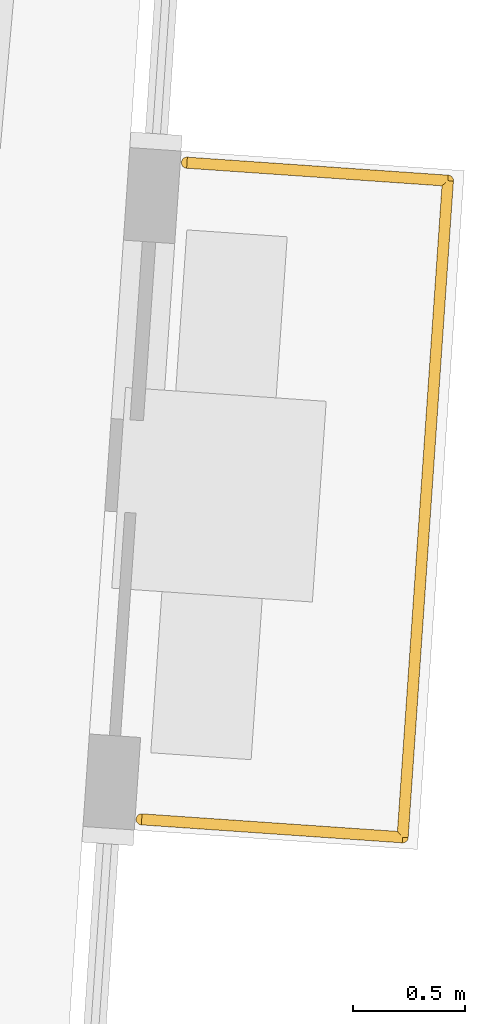
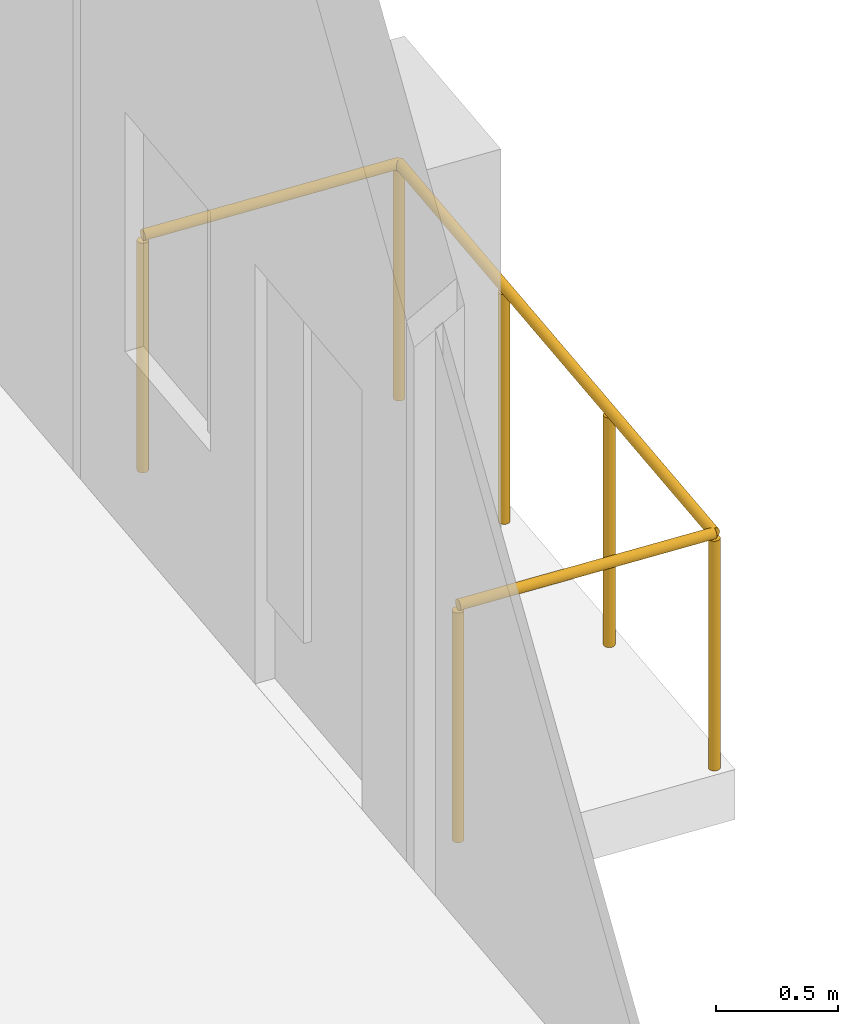
# One storey, part 14 of 15: 1 railing.
"""IFC4 building model written with IfcOpenShell, lengths in metres."""

from ifc_helpers import new_model, si_unit, direction, frame, origin, origin_2d, place, context, subcontext, project, spatial, circle, extrude, material, type_object, element, save


model = new_model("IFC4")

# Units and contexts
model_context = context("Model", 3, precision=1e-05, world=origin(), true_north=direction((0.0, 1.0)))
body_context = subcontext(model_context, "Body", "Model", "MODEL_VIEW")
ifc_project = project(units=[si_unit("LENGTHUNIT", "METRE"), si_unit("AREAUNIT", "SQUARE_METRE"), si_unit("VOLUMEUNIT", "CUBIC_METRE"), si_unit("PLANEANGLEUNIT", "RADIAN"), si_unit("MASSUNIT", "GRAM", prefix="KILO")], contexts=[model_context])

# Site, building, storey
site_placement = place(None, origin())
site = spatial("IfcSite", under=ifc_project, at=site_placement, CompositionType="ELEMENT")
building_placement = place(site_placement, origin())
building = spatial("IfcBuilding", under=site, at=building_placement, Name="Verdant Reach Tower", CompositionType="ELEMENT")
storey_placement = place(building_placement, frame((0.0, 0.0, 334.0)))
storey = spatial("IfcBuildingStorey", under=building, at=storey_placement, Name="L77", CompositionType="ELEMENT", Elevation=334.0)

# Railing
ifc_material = material(Name="Stainless steel and laminated glass balustrade", Category="steel")
railing_type = type_object("IfcRailingType", Name="EN-RAILING BALCONY", PredefinedType="GUARDRAIL", material=ifc_material)
railing_placement = place(storey_placement, frame((20.872314453125, 53.745361328125, 0.0)))
element("IfcRailing", 1, at=railing_placement, inside=storey, type_object=railing_type, Name="Balcony guard 1, L77", PredefinedType="GUARDRAIL", context=body_context, shape_type="SweptSolid", body=[
    extrude(circle(Radius=0.02490234375, at=origin_2d()), frame((0.0, 0.0, 1.1748046875), z_axis=(0.997640688741, -0.068651701861, 0.0), x_axis=(0.068651701861, 0.997640688741, 0.0)), (0.0, 0.0, 1.0), 1.169921875),
    extrude(circle(Radius=0.02490234375, at=origin_2d()), frame((1.167236328125, -0.080322265625, 1.1748046875), z_axis=(0.068819165156, 0.997629150791, 0.0), x_axis=(-0.997629150791, 0.068819165156, 0.0)), (0.0, 0.0, 1.0), 2.944580078125),
    extrude(circle(Radius=0.02490234375, at=origin_2d()), frame((1.369873046875, 2.857177734375, 1.1748046875), z_axis=(-0.997626375729, 0.068859381717, 0.0), x_axis=(-0.068859381717, -0.997626375729, 0.0)), (0.0, 0.0, 1.0), 1.169921875),
    extrude(circle(Radius=0.02490234375, at=origin_2d()), origin(), (0.0, 0.0, 1.0), 1.14990234375),
    extrude(circle(Radius=0.02490234375, at=origin_2d()), frame((1.167236328125, -0.080322265625, 0.0)), (0.0, 0.0, 1.0), 1.14990234375),
    extrude(circle(Radius=0.02490234375, at=origin_2d()), frame((1.23486328125, 0.89892578125, 0.0)), (0.0, 0.0, 1.0), 1.14990234375),
    extrude(circle(Radius=0.02490234375, at=origin_2d()), frame((1.30224609375, 1.8779296875, 0.0)), (0.0, 0.0, 1.0), 1.14990234375),
    extrude(circle(Radius=0.02490234375, at=origin_2d()), frame((1.369873046875, 2.857177734375, 0.0)), (0.0, 0.0, 1.0), 1.14990234375),
    extrude(circle(Radius=0.02490234375, at=origin_2d()), frame((0.20263671875, 2.937744140625, 0.0)), (0.0, 0.0, 1.0), 1.14990234375),
])

save(model, "model.ifc")
